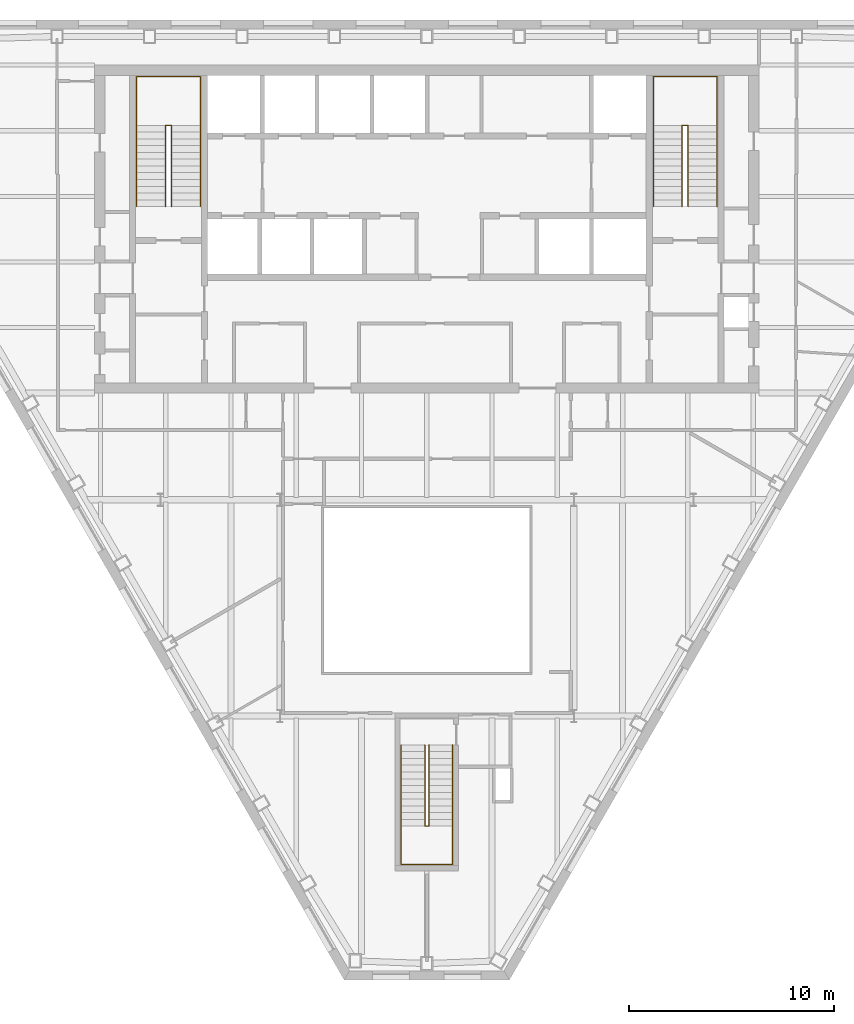
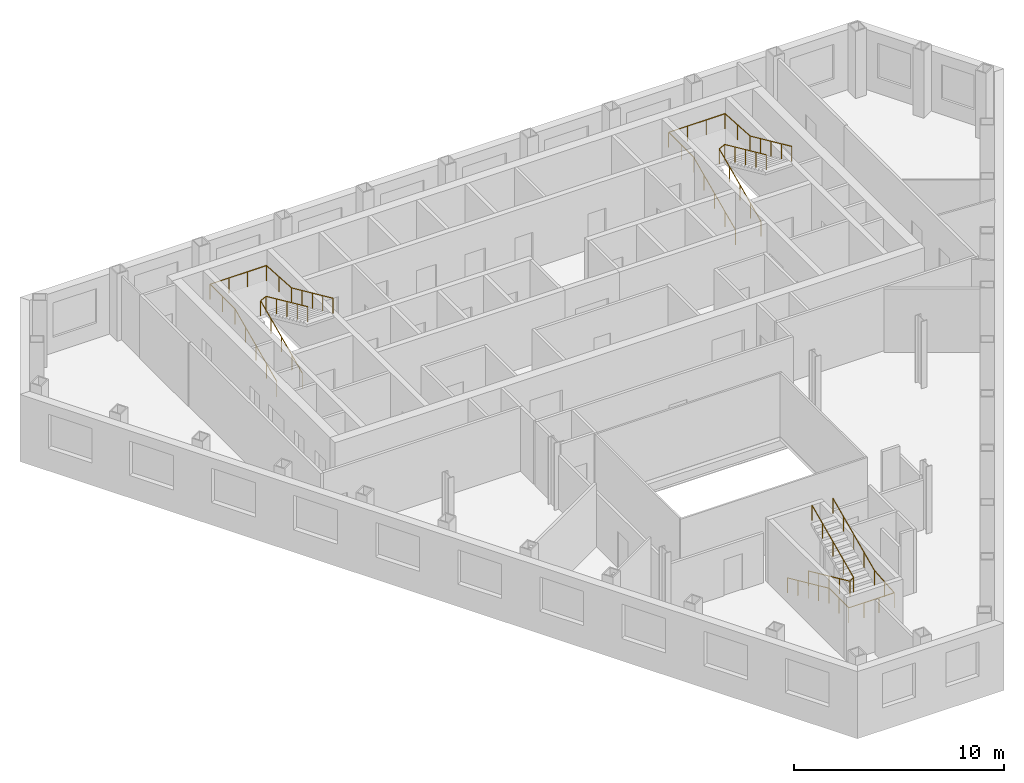
# One storey, part 11 of 11: 6 railings.
"""IFC4 building model written with IfcOpenShell, lengths in metres."""

import ifcopenshell
import ifcopenshell.guid

model = None  # the IFC model being written
_history = None  # IfcOwnerHistory: only IFC2X3 demands one
_inside = {}  # id of a spatial element -> (the spatial element, [elements in it])
_under = {}  # id of a project, library or spatial element -> (it, [spatial elements below it])
_declared = {}  # id of a project -> (the project, [libraries it declares])
_typed = {}  # id of a type object -> (the type object, [elements of that type])
_made_of = {}  # id of a material, layer set ... -> (it, [elements and type objects made of it])


def new_model(schema):
    """Start an empty IFC model of exactly this schema.

    Asked for "IFC4X3", IfcOpenShell would pick the latest addendum, in which some entities
    have other attributes; the version numbers below select the first issue.
    IFC2X3 requires an IfcOwnerHistory on every rooted entity: one is made here for all.
    """
    global model, _history
    if schema == "IFC4X3":
        model = ifcopenshell.file(schema_version=(4, 3, 0, 0))
    else:
        model = ifcopenshell.file(schema=schema)
    _inside.clear()
    _under.clear()
    _declared.clear()
    _typed.clear()
    _made_of.clear()
    _history = None
    if model.schema == "IFC2X3":
        org = make("IfcOrganization", Name="unknown")
        user = make(
            "IfcPersonAndOrganization",
            ThePerson=make("IfcPerson", FamilyName="unknown"),
            TheOrganization=org,
        )
        app = make(
            "IfcApplication",
            ApplicationDeveloper=org,
            Version="unknown",
            ApplicationFullName="unknown",
            ApplicationIdentifier="unknown",
        )
        _history = make(
            "IfcOwnerHistory",
            OwningUser=user,
            OwningApplication=app,
            ChangeAction="ADDED",
            CreationDate=0,
        )
    return model


def make(cls, **values):
    """One entity of the class cls with the attributes given. An attribute that is None is left unset."""
    return model.create_entity(
        cls, **{name: value for name, value in values.items() if value is not None}
    )


def rooted(cls, **values):
    """An entity with a GlobalId (a new one), such as an element, a storey or a relation."""
    return make(cls, GlobalId=ifcopenshell.guid.new(), OwnerHistory=_history, **values)


def si_unit(unit_type, name, prefix=None):
    """IfcSIUnit, for example si_unit("LENGTHUNIT", "METRE", prefix="MILLI")."""
    return make("IfcSIUnit", UnitType=unit_type, Prefix=prefix, Name=name)


def assignment(units):
    """IfcUnitAssignment: the units of a project."""
    return None if units is None else make("IfcUnitAssignment", Units=units)


def point(xyz):
    """IfcCartesianPoint."""
    return None if xyz is None else make("IfcCartesianPoint", Coordinates=xyz)


def direction(xyz):
    """IfcDirection."""
    return None if xyz is None else make("IfcDirection", DirectionRatios=xyz)


def frame(location, z_axis=None, x_axis=None):
    """IfcAxis2Placement3D, a coordinate frame: its origin and axes. An axis left out is left unset."""
    return make(
        "IfcAxis2Placement3D",
        Location=point(location),
        Axis=direction(z_axis),
        RefDirection=direction(x_axis),
    )


def frame_2d(location, x_axis=None):
    """IfcAxis2Placement2D, a coordinate frame in the plane: its origin and x axis."""
    return make(
        "IfcAxis2Placement2D", Location=point(location), RefDirection=direction(x_axis)
    )


def origin():
    """The frame at (0, 0, 0) with its axes left unset."""
    return frame((0.0, 0.0, 0.0))


def origin_2d():
    """The frame at (0, 0) in the plane with its x axis left unset."""
    return frame_2d((0.0, 0.0))


def place(relative_to, where):
    """IfcLocalPlacement: puts the frame where relative to a parent placement (None: the world)."""
    return make(
        "IfcLocalPlacement", PlacementRelTo=relative_to, RelativePlacement=where
    )


def context(
    kind, dimensions, precision=None, world=None, true_north=None, identifier=None
):
    """IfcGeometricRepresentationContext, for example the 3D "Model" context."""
    return make(
        "IfcGeometricRepresentationContext",
        ContextIdentifier=identifier,
        ContextType=kind,
        CoordinateSpaceDimension=dimensions,
        Precision=precision,
        WorldCoordinateSystem=world,
        TrueNorth=true_north,
    )


def subcontext(parent, identifier, kind, view, scale=None):
    """IfcGeometricRepresentationSubContext, for example "Body" below "Model"."""
    return make(
        "IfcGeometricRepresentationSubContext",
        ContextIdentifier=identifier,
        ContextType=kind,
        ParentContext=parent,
        TargetScale=scale,
        TargetView=view,
    )


def project(units=None, contexts=None):
    """IfcProject with its units and contexts."""
    return rooted(
        "IfcProject",
        Name="project",
        RepresentationContexts=contexts,
        UnitsInContext=assignment(units),
    )


def spatial(cls, under=None, at=None, **own):
    """A site, building, storey or space (cls), placed at a placement, below another one or the project."""
    s = rooted(cls, ObjectPlacement=at, **own)
    if under is not None:
        _under.setdefault(under.id(), (under, []))[1].append(s)
    return s


def profile(cls, at=None, kind="AREA", **sizes):
    """A parametric profile (cls). Its sizes go by their IFC names, for example OverallWidth=200.0."""
    return make(cls, ProfileType=kind, Position=at, **sizes)


def circle(**sizes):
    """IfcCircleProfileDef."""
    return profile("IfcCircleProfileDef", **sizes)


def extrude(swept, where, along, depth):
    """IfcExtrudedAreaSolid: the profile swept, set in the frame where, extruded along a direction by depth."""
    return make(
        "IfcExtrudedAreaSolid",
        SweptArea=swept,
        Position=where,
        ExtrudedDirection=direction(along),
        Depth=depth,
    )


def shape(context_of_items, identifier, shape_type, items):
    """IfcShapeRepresentation: the items that make up one representation, for example the "Body"."""
    return make(
        "IfcShapeRepresentation",
        ContextOfItems=context_of_items,
        RepresentationIdentifier=identifier,
        RepresentationType=shape_type,
        Items=items,
    )


def material(Name=None, Category=None):
    """IfcMaterial."""
    return make("IfcMaterial", Name=Name, Category=Category)


def made_of(thing, what):
    """Note that an element or type object is made of a material, layer set ...; save() writes the relation."""
    if what is not None:
        _made_of.setdefault(what.id(), (what, []))[1].append(thing)
    return thing


def type_object(cls, material=None, **own):
    """A type object (cls), such as IfcWallType, which elements share."""
    return made_of(rooted(cls, **own), material)


def element(
    cls,
    number,
    at=None,
    inside=None,
    cuts=None,
    type_object=None,
    material=None,
    context=None,
    identifier="Body",
    shape_type=None,
    held_by="IfcProductDefinitionShape",
    body=None,
    shapes=None,
    **own,
):
    """One element of the class cls, such as IfcWall. Its Tag is "e" and its number.

    at: its placement. inside: the storey or other place that contains it. cuts: it is an
    opening in that element (IfcRelVoidsElement). A single representation is given by context,
    identifier, shape_type and body (its items); several are given by shapes. held_by: the class
    of the entity that holds the representations. save() writes the other relations.
    """
    e = rooted(cls, Tag="e%d" % number, ObjectPlacement=at, **own)
    if body is not None:
        shapes = [shape(context, identifier, shape_type, body)]
    if shapes is not None:
        e.Representation = make(held_by, Representations=shapes)
    if inside is not None:
        _inside.setdefault(inside.id(), (inside, []))[1].append(e)
    if cuts is not None:
        rooted(
            "IfcRelVoidsElement", RelatingBuildingElement=cuts, RelatedOpeningElement=e
        )
    if type_object is not None:
        _typed.setdefault(type_object.id(), (type_object, []))[1].append(e)
    return made_of(e, material)


def aggregate(whole, parts):
    """IfcRelAggregates: a whole, such as a stair, and the parts it consists of."""
    return rooted("IfcRelAggregates", RelatingObject=whole, RelatedObjects=parts)


def save(model, path):
    """Write the relations noted so far, then the file.

    IfcRelAggregates (storeys below a building ...), IfcRelContainedInSpatialStructure (elements
    in a storey), IfcRelDefinesByType, IfcRelAssociatesMaterial and IfcRelDeclares: one each for
    every whole, place, type object, material and project.
    """
    for whole, parts in _under.values():
        aggregate(whole, parts)
    for where, things in _inside.values():
        rooted(
            "IfcRelContainedInSpatialStructure",
            RelatedElements=things,
            RelatingStructure=where,
        )
    for kind, things in _typed.values():
        rooted("IfcRelDefinesByType", RelatedObjects=things, RelatingType=kind)
    for what, things in _made_of.values():
        rooted("IfcRelAssociatesMaterial", RelatedObjects=things, RelatingMaterial=what)
    for by, libraries in _declared.values():
        rooted("IfcRelDeclares", RelatingContext=by, RelatedDefinitions=libraries)
    model.write(path)


model = new_model("IFC4")

# Units and contexts
model_context = context("Model", 3, precision=1e-05, world=origin(), true_north=direction((0.0, 1.0)))
body_context = subcontext(model_context, "Body", "Model", "MODEL_VIEW")
ifc_project = project(units=[si_unit("LENGTHUNIT", "METRE"), si_unit("AREAUNIT", "SQUARE_METRE"), si_unit("VOLUMEUNIT", "CUBIC_METRE"), si_unit("PLANEANGLEUNIT", "RADIAN"), si_unit("MASSUNIT", "GRAM", prefix="KILO")], contexts=[model_context])

# Site, building, storey
site_placement = place(None, origin())
site = spatial("IfcSite", under=ifc_project, at=site_placement, CompositionType="ELEMENT")
building_placement = place(site_placement, origin())
building = spatial("IfcBuilding", under=site, at=building_placement, Name="Njiva Tower", CompositionType="ELEMENT")
storey_placement = place(building_placement, frame((0.0, 0.0, 178.8)))
storey = spatial("IfcBuildingStorey", under=building, at=storey_placement, Name="L39", CompositionType="ELEMENT", Elevation=178.8)

# Railings
ifc_material = material(Name="Stainless steel", Category="steel")
railing_type = type_object("IfcRailingType", Name="RL1 Stair handrail 900", PredefinedType="HANDRAIL", material=ifc_material)
railing_1_placement = place(storey_placement, frame((-14.15, 11.1, 0.15)))
element("IfcRailing", 1, at=railing_1_placement, inside=storey, type_object=railing_type, Name="Stair A handrail", PredefinedType="HANDRAIL", context=body_context, shape_type="SweptSolid", body=[
    extrude(circle(Radius=0.024, at=origin_2d()), frame((0.0, 0.0, 0.876), z_axis=(0.0, 0.910366477463, 0.413802944301), x_axis=(-1.0, 0.0, 0.0)), (0.0, 0.0, 1.0), 4.3499),
    extrude(circle(Radius=0.024, at=origin_2d()), frame((0.0, 3.96, 2.676), z_axis=(0.0, 1.0, 0.0), x_axis=(-1.0, 0.0, 0.0)), (0.0, 0.0, 1.0), 2.39),
    extrude(circle(Radius=0.024, at=origin_2d()), frame((0.0, 6.35, 2.676), z_axis=(1.0, 0.0, 0.0), x_axis=(0.0, 1.0, 0.0)), (0.0, 0.0, 1.0), 3.1),
    extrude(circle(Radius=0.024, at=origin_2d()), frame((3.1, 6.35, 2.676), z_axis=(0.0, -0.998036296047, 0.062638261258), x_axis=(1.0, 0.0, 0.0)), (0.0, 0.0, 1.0), 2.3947),
    extrude(circle(Radius=0.024, at=origin_2d()), frame((3.1, 3.96, 2.826), z_axis=(0.0, -0.910366477463, 0.413802944301), x_axis=(1.0, 0.0, 0.0)), (0.0, 0.0, 1.0), 4.3499),
    extrude(circle(Radius=0.021, at=origin_2d()), origin(), (0.0, 0.0, 1.0), 0.852),
    extrude(circle(Radius=0.021, at=origin_2d()), frame((0.0, 0.99, 0.45)), (0.0, 0.0, 1.0), 0.852),
    extrude(circle(Radius=0.021, at=origin_2d()), frame((0.0, 1.98, 0.9)), (0.0, 0.0, 1.0), 0.852),
    extrude(circle(Radius=0.021, at=origin_2d()), frame((0.0, 2.97, 1.35)), (0.0, 0.0, 1.0), 0.852),
    extrude(circle(Radius=0.021, at=origin_2d()), frame((0.0, 3.96, 1.8)), (0.0, 0.0, 1.0), 0.852),
    extrude(circle(Radius=0.021, at=origin_2d()), frame((0.0, 5.155, 1.8)), (0.0, 0.0, 1.0), 0.852),
    extrude(circle(Radius=0.021, at=origin_2d()), frame((0.0, 6.35, 1.8)), (0.0, 0.0, 1.0), 0.852),
    extrude(circle(Radius=0.021, at=origin_2d()), frame((1.0333, 6.35, 1.8)), (0.0, 0.0, 1.0), 0.852),
    extrude(circle(Radius=0.021, at=origin_2d()), frame((2.0667, 6.35, 1.8)), (0.0, 0.0, 1.0), 0.852),
    extrude(circle(Radius=0.021, at=origin_2d()), frame((3.1, 6.35, 1.8)), (0.0, 0.0, 1.0), 0.852),
    extrude(circle(Radius=0.021, at=origin_2d()), frame((3.1, 5.155, 1.875)), (0.0, 0.0, 1.0), 0.852),
    extrude(circle(Radius=0.021, at=origin_2d()), frame((3.1, 3.96, 1.95)), (0.0, 0.0, 1.0), 0.852),
    extrude(circle(Radius=0.021, at=origin_2d()), frame((3.1, 2.97, 2.4)), (0.0, 0.0, 1.0), 0.852),
    extrude(circle(Radius=0.021, at=origin_2d()), frame((3.1, 1.98, 2.85)), (0.0, 0.0, 1.0), 0.852),
    extrude(circle(Radius=0.021, at=origin_2d()), frame((3.1, 0.99, 3.3)), (0.0, 0.0, 1.0), 0.852),
    extrude(circle(Radius=0.021, at=origin_2d()), frame((3.1, 0.0, 3.75)), (0.0, 0.0, 1.0), 0.852),
])
railing_2_placement = place(storey_placement, frame((-12.75, 11.1, 0.15)))
element("IfcRailing", 2, at=railing_2_placement, inside=storey, type_object=railing_type, Name="Stair A handrail", PredefinedType="HANDRAIL", context=body_context, shape_type="SweptSolid", body=[
    extrude(circle(Radius=0.024, at=origin_2d()), frame((0.0, 0.0, 0.876), z_axis=(0.0, 0.910366477463, 0.413802944301), x_axis=(-1.0, 0.0, 0.0)), (0.0, 0.0, 1.0), 4.3499),
    extrude(circle(Radius=0.024, at=origin_2d()), frame((0.0, 3.96, 2.676), z_axis=(0.894427191, 0.0, 0.4472135955), x_axis=(0.0, 1.0, 0.0)), (0.0, 0.0, 1.0), 0.3354),
    extrude(circle(Radius=0.024, at=origin_2d()), frame((0.3, 3.96, 2.826), z_axis=(0.0, -0.910366477463, 0.413802944301), x_axis=(1.0, 0.0, 0.0)), (0.0, 0.0, 1.0), 4.3499),
    extrude(circle(Radius=0.021, at=origin_2d()), origin(), (0.0, 0.0, 1.0), 0.852),
    extrude(circle(Radius=0.021, at=origin_2d()), frame((0.0, 0.99, 0.45)), (0.0, 0.0, 1.0), 0.852),
    extrude(circle(Radius=0.021, at=origin_2d()), frame((0.0, 1.98, 0.9)), (0.0, 0.0, 1.0), 0.852),
    extrude(circle(Radius=0.021, at=origin_2d()), frame((0.0, 2.97, 1.35)), (0.0, 0.0, 1.0), 0.852),
    extrude(circle(Radius=0.021, at=origin_2d()), frame((0.0, 3.96, 1.8)), (0.0, 0.0, 1.0), 0.852),
    extrude(circle(Radius=0.021, at=origin_2d()), frame((0.3, 3.96, 1.95)), (0.0, 0.0, 1.0), 0.852),
    extrude(circle(Radius=0.021, at=origin_2d()), frame((0.3, 2.97, 2.4)), (0.0, 0.0, 1.0), 0.852),
    extrude(circle(Radius=0.021, at=origin_2d()), frame((0.3, 1.98, 2.85)), (0.0, 0.0, 1.0), 0.852),
    extrude(circle(Radius=0.021, at=origin_2d()), frame((0.3, 0.99, 3.3)), (0.0, 0.0, 1.0), 0.852),
    extrude(circle(Radius=0.021, at=origin_2d()), frame((0.3, 0.0, 3.75)), (0.0, 0.0, 1.0), 0.852),
])
railing_3_placement = place(storey_placement, frame((11.05, 11.1, 0.15)))
element("IfcRailing", 3, at=railing_3_placement, inside=storey, type_object=railing_type, Name="Stair B handrail", PredefinedType="HANDRAIL", context=body_context, shape_type="SweptSolid", body=[
    extrude(circle(Radius=0.024, at=origin_2d()), frame((0.0, 0.0, 0.876), z_axis=(0.0, 0.910366477463, 0.413802944301), x_axis=(-1.0, 0.0, 0.0)), (0.0, 0.0, 1.0), 4.3499),
    extrude(circle(Radius=0.024, at=origin_2d()), frame((0.0, 3.96, 2.676), z_axis=(0.0, 1.0, 0.0), x_axis=(-1.0, 0.0, 0.0)), (0.0, 0.0, 1.0), 2.39),
    extrude(circle(Radius=0.024, at=origin_2d()), frame((0.0, 6.35, 2.676), z_axis=(1.0, 0.0, 0.0), x_axis=(0.0, 1.0, 0.0)), (0.0, 0.0, 1.0), 3.1),
    extrude(circle(Radius=0.024, at=origin_2d()), frame((3.1, 6.35, 2.676), z_axis=(0.0, -0.998036296047, 0.062638261258), x_axis=(1.0, 0.0, 0.0)), (0.0, 0.0, 1.0), 2.3947),
    extrude(circle(Radius=0.024, at=origin_2d()), frame((3.1, 3.96, 2.826), z_axis=(0.0, -0.910366477463, 0.413802944301), x_axis=(1.0, 0.0, 0.0)), (0.0, 0.0, 1.0), 4.3499),
    extrude(circle(Radius=0.021, at=origin_2d()), origin(), (0.0, 0.0, 1.0), 0.852),
    extrude(circle(Radius=0.021, at=origin_2d()), frame((0.0, 0.99, 0.45)), (0.0, 0.0, 1.0), 0.852),
    extrude(circle(Radius=0.021, at=origin_2d()), frame((0.0, 1.98, 0.9)), (0.0, 0.0, 1.0), 0.852),
    extrude(circle(Radius=0.021, at=origin_2d()), frame((0.0, 2.97, 1.35)), (0.0, 0.0, 1.0), 0.852),
    extrude(circle(Radius=0.021, at=origin_2d()), frame((0.0, 3.96, 1.8)), (0.0, 0.0, 1.0), 0.852),
    extrude(circle(Radius=0.021, at=origin_2d()), frame((0.0, 5.155, 1.8)), (0.0, 0.0, 1.0), 0.852),
    extrude(circle(Radius=0.021, at=origin_2d()), frame((0.0, 6.35, 1.8)), (0.0, 0.0, 1.0), 0.852),
    extrude(circle(Radius=0.021, at=origin_2d()), frame((1.0333, 6.35, 1.8)), (0.0, 0.0, 1.0), 0.852),
    extrude(circle(Radius=0.021, at=origin_2d()), frame((2.0667, 6.35, 1.8)), (0.0, 0.0, 1.0), 0.852),
    extrude(circle(Radius=0.021, at=origin_2d()), frame((3.1, 6.35, 1.8)), (0.0, 0.0, 1.0), 0.852),
    extrude(circle(Radius=0.021, at=origin_2d()), frame((3.1, 5.155, 1.875)), (0.0, 0.0, 1.0), 0.852),
    extrude(circle(Radius=0.021, at=origin_2d()), frame((3.1, 3.96, 1.95)), (0.0, 0.0, 1.0), 0.852),
    extrude(circle(Radius=0.021, at=origin_2d()), frame((3.1, 2.97, 2.4)), (0.0, 0.0, 1.0), 0.852),
    extrude(circle(Radius=0.021, at=origin_2d()), frame((3.1, 1.98, 2.85)), (0.0, 0.0, 1.0), 0.852),
    extrude(circle(Radius=0.021, at=origin_2d()), frame((3.1, 0.99, 3.3)), (0.0, 0.0, 1.0), 0.852),
    extrude(circle(Radius=0.021, at=origin_2d()), frame((3.1, 0.0, 3.75)), (0.0, 0.0, 1.0), 0.852),
])
railing_4_placement = place(storey_placement, frame((12.45, 11.1, 0.15)))
element("IfcRailing", 4, at=railing_4_placement, inside=storey, type_object=railing_type, Name="Stair B handrail", PredefinedType="HANDRAIL", context=body_context, shape_type="SweptSolid", body=[
    extrude(circle(Radius=0.024, at=origin_2d()), frame((0.0, 0.0, 0.876), z_axis=(0.0, 0.910366477463, 0.413802944301), x_axis=(-1.0, 0.0, 0.0)), (0.0, 0.0, 1.0), 4.3499),
    extrude(circle(Radius=0.024, at=origin_2d()), frame((0.0, 3.96, 2.676), z_axis=(0.894427191, 0.0, 0.4472135955), x_axis=(0.0, 1.0, 0.0)), (0.0, 0.0, 1.0), 0.3354),
    extrude(circle(Radius=0.024, at=origin_2d()), frame((0.3, 3.96, 2.826), z_axis=(0.0, -0.910366477463, 0.413802944301), x_axis=(1.0, 0.0, 0.0)), (0.0, 0.0, 1.0), 4.3499),
    extrude(circle(Radius=0.021, at=origin_2d()), origin(), (0.0, 0.0, 1.0), 0.852),
    extrude(circle(Radius=0.021, at=origin_2d()), frame((0.0, 0.99, 0.45)), (0.0, 0.0, 1.0), 0.852),
    extrude(circle(Radius=0.021, at=origin_2d()), frame((0.0, 1.98, 0.9)), (0.0, 0.0, 1.0), 0.852),
    extrude(circle(Radius=0.021, at=origin_2d()), frame((0.0, 2.97, 1.35)), (0.0, 0.0, 1.0), 0.852),
    extrude(circle(Radius=0.021, at=origin_2d()), frame((0.0, 3.96, 1.8)), (0.0, 0.0, 1.0), 0.852),
    extrude(circle(Radius=0.021, at=origin_2d()), frame((0.3, 3.96, 1.95)), (0.0, 0.0, 1.0), 0.852),
    extrude(circle(Radius=0.021, at=origin_2d()), frame((0.3, 2.97, 2.4)), (0.0, 0.0, 1.0), 0.852),
    extrude(circle(Radius=0.021, at=origin_2d()), frame((0.3, 1.98, 2.85)), (0.0, 0.0, 1.0), 0.852),
    extrude(circle(Radius=0.021, at=origin_2d()), frame((0.3, 0.99, 3.3)), (0.0, 0.0, 1.0), 0.852),
    extrude(circle(Radius=0.021, at=origin_2d()), frame((0.3, 0.0, 3.75)), (0.0, 0.0, 1.0), 0.852),
])
railing_5_placement = place(storey_placement, frame((-1.25, -15.16, 0.15)))
element("IfcRailing", 5, at=railing_5_placement, inside=storey, type_object=railing_type, Name="Stair C handrail", PredefinedType="HANDRAIL", context=body_context, shape_type="SweptSolid", body=[
    extrude(circle(Radius=0.024, at=origin_2d()), frame((0.0, 0.0, 0.876), z_axis=(0.0, -0.910366477463, 0.413802944301), x_axis=(1.0, 0.0, 0.0)), (0.0, 0.0, 1.0), 4.3499),
    extrude(circle(Radius=0.024, at=origin_2d()), frame((0.0, -3.96, 2.676), z_axis=(0.0, -1.0, 0.0), x_axis=(1.0, 0.0, 0.0)), (0.0, 0.0, 1.0), 1.88),
    extrude(circle(Radius=0.024, at=origin_2d()), frame((0.0, -5.84, 2.676), z_axis=(1.0, 0.0, 0.0), x_axis=(0.0, 1.0, 0.0)), (0.0, 0.0, 1.0), 2.5),
    extrude(circle(Radius=0.024, at=origin_2d()), frame((2.5, -5.84, 2.676), z_axis=(0.0, 0.996832115713, 0.079534477318), x_axis=(-1.0, 0.0, 0.0)), (0.0, 0.0, 1.0), 1.886),
    extrude(circle(Radius=0.024, at=origin_2d()), frame((2.5, -3.96, 2.826), z_axis=(0.0, 0.910366477463, 0.413802944301), x_axis=(-1.0, 0.0, 0.0)), (0.0, 0.0, 1.0), 4.3499),
    extrude(circle(Radius=0.021, at=origin_2d()), origin(), (0.0, 0.0, 1.0), 0.852),
    extrude(circle(Radius=0.021, at=origin_2d()), frame((0.0, -0.99, 0.45)), (0.0, 0.0, 1.0), 0.852),
    extrude(circle(Radius=0.021, at=origin_2d()), frame((0.0, -1.98, 0.9)), (0.0, 0.0, 1.0), 0.852),
    extrude(circle(Radius=0.021, at=origin_2d()), frame((0.0, -2.97, 1.35)), (0.0, 0.0, 1.0), 0.852),
    extrude(circle(Radius=0.021, at=origin_2d()), frame((0.0, -3.96, 1.8)), (0.0, 0.0, 1.0), 0.852),
    extrude(circle(Radius=0.021, at=origin_2d()), frame((0.0, -4.9, 1.8)), (0.0, 0.0, 1.0), 0.852),
    extrude(circle(Radius=0.021, at=origin_2d()), frame((0.0, -5.84, 1.8)), (0.0, 0.0, 1.0), 0.852),
    extrude(circle(Radius=0.021, at=origin_2d()), frame((0.8333, -5.84, 1.8)), (0.0, 0.0, 1.0), 0.852),
    extrude(circle(Radius=0.021, at=origin_2d()), frame((1.6667, -5.84, 1.8)), (0.0, 0.0, 1.0), 0.852),
    extrude(circle(Radius=0.021, at=origin_2d()), frame((2.5, -5.84, 1.8)), (0.0, 0.0, 1.0), 0.852),
    extrude(circle(Radius=0.021, at=origin_2d()), frame((2.5, -4.9, 1.875)), (0.0, 0.0, 1.0), 0.852),
    extrude(circle(Radius=0.021, at=origin_2d()), frame((2.5, -3.96, 1.95)), (0.0, 0.0, 1.0), 0.852),
    extrude(circle(Radius=0.021, at=origin_2d()), frame((2.5, -2.97, 2.4)), (0.0, 0.0, 1.0), 0.852),
    extrude(circle(Radius=0.021, at=origin_2d()), frame((2.5, -1.98, 2.85)), (0.0, 0.0, 1.0), 0.852),
    extrude(circle(Radius=0.021, at=origin_2d()), frame((2.5, -0.99, 3.3)), (0.0, 0.0, 1.0), 0.852),
    extrude(circle(Radius=0.021, at=origin_2d()), frame((2.5, 0.0, 3.75)), (0.0, 0.0, 1.0), 0.852),
])
railing_6_placement = place(storey_placement, frame((-0.1, -15.16, 0.15)))
element("IfcRailing", 6, at=railing_6_placement, inside=storey, type_object=railing_type, Name="Stair C handrail", PredefinedType="HANDRAIL", context=body_context, shape_type="SweptSolid", body=[
    extrude(circle(Radius=0.024, at=origin_2d()), frame((0.0, 0.0, 0.876), z_axis=(0.0, -0.910366477463, 0.413802944301), x_axis=(1.0, 0.0, 0.0)), (0.0, 0.0, 1.0), 4.3499),
    extrude(circle(Radius=0.024, at=origin_2d()), frame((0.0, -3.96, 2.676), z_axis=(0.8, 0.0, 0.6), x_axis=(0.0, 1.0, 0.0)), (0.0, 0.0, 1.0), 0.25),
    extrude(circle(Radius=0.024, at=origin_2d()), frame((0.2, -3.96, 2.826), z_axis=(0.0, 0.910366477463, 0.413802944301), x_axis=(-1.0, 0.0, 0.0)), (0.0, 0.0, 1.0), 4.3499),
    extrude(circle(Radius=0.021, at=origin_2d()), origin(), (0.0, 0.0, 1.0), 0.852),
    extrude(circle(Radius=0.021, at=origin_2d()), frame((0.0, -0.99, 0.45)), (0.0, 0.0, 1.0), 0.852),
    extrude(circle(Radius=0.021, at=origin_2d()), frame((0.0, -1.98, 0.9)), (0.0, 0.0, 1.0), 0.852),
    extrude(circle(Radius=0.021, at=origin_2d()), frame((0.0, -2.97, 1.35)), (0.0, 0.0, 1.0), 0.852),
    extrude(circle(Radius=0.021, at=origin_2d()), frame((0.0, -3.96, 1.8)), (0.0, 0.0, 1.0), 0.852),
    extrude(circle(Radius=0.021, at=origin_2d()), frame((0.2, -3.96, 1.95)), (0.0, 0.0, 1.0), 0.852),
    extrude(circle(Radius=0.021, at=origin_2d()), frame((0.2, -2.97, 2.4)), (0.0, 0.0, 1.0), 0.852),
    extrude(circle(Radius=0.021, at=origin_2d()), frame((0.2, -1.98, 2.85)), (0.0, 0.0, 1.0), 0.852),
    extrude(circle(Radius=0.021, at=origin_2d()), frame((0.2, -0.99, 3.3)), (0.0, 0.0, 1.0), 0.852),
    extrude(circle(Radius=0.021, at=origin_2d()), frame((0.2, 0.0, 3.75)), (0.0, 0.0, 1.0), 0.852),
])

save(model, "model.ifc")
